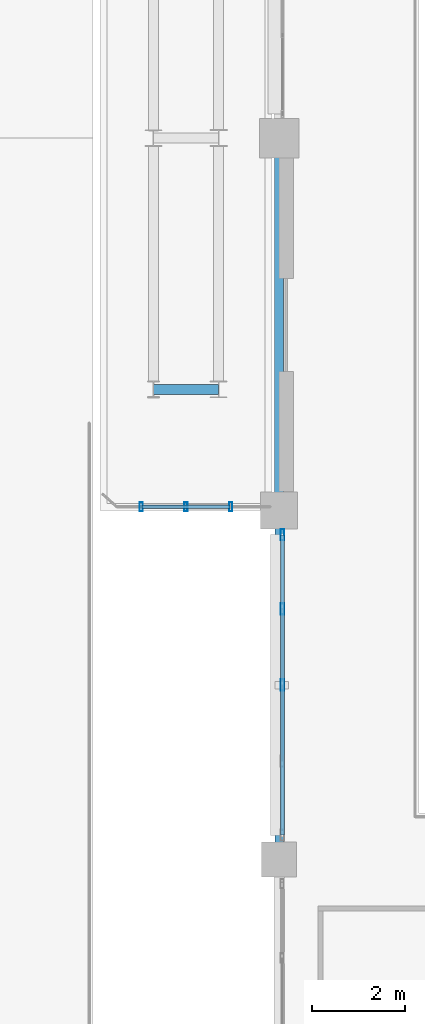
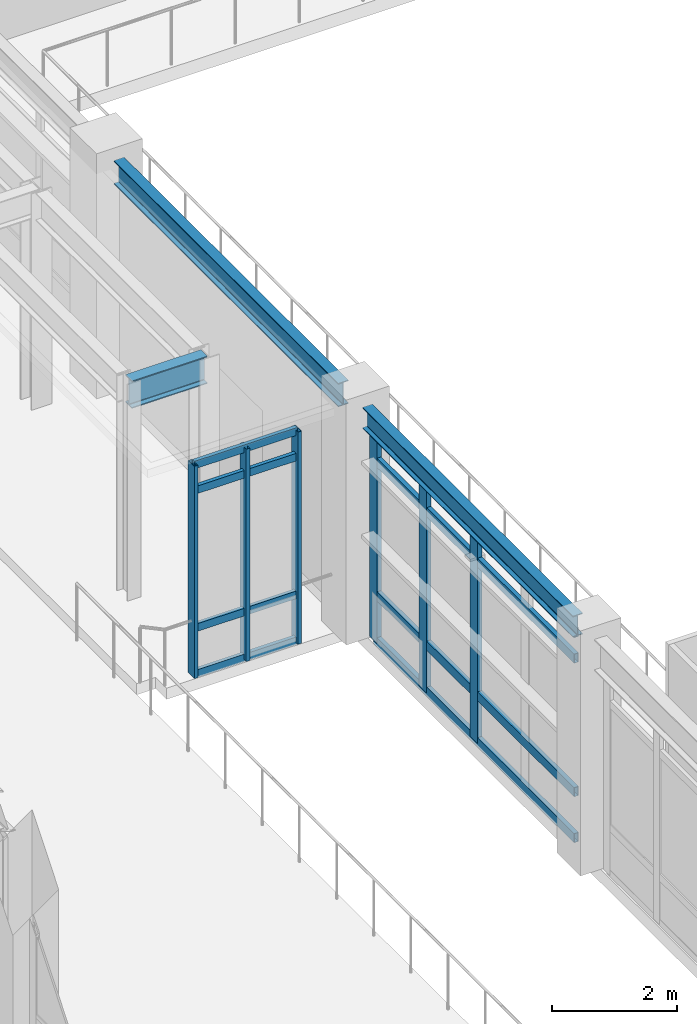
# One storey, part 114 of 200: 14 members, 3 beams, 2 elements without a shape of their own.
"""IFC4 building model written with IfcOpenShell, lengths in metres."""

from ifc_helpers import new_model, si_unit, direction, frame, origin, origin_2d, place, context, subcontext, project, spatial, hollow_rectangle, i_section, extrude, material, material_profile, profile_set, type_object, element, aggregate, save


model = new_model("IFC4")

# Units and contexts
model_context = context("Model", 3, precision=1e-05, world=origin(), true_north=direction((0.0, 1.0)))
body_context = subcontext(model_context, "Body", "Model", "MODEL_VIEW")
ifc_project = project(units=[si_unit("LENGTHUNIT", "METRE"), si_unit("AREAUNIT", "SQUARE_METRE"), si_unit("VOLUMEUNIT", "CUBIC_METRE"), si_unit("PLANEANGLEUNIT", "RADIAN"), si_unit("MASSUNIT", "GRAM", prefix="KILO"), si_unit("THERMODYNAMICTEMPERATUREUNIT", "KELVIN"), si_unit("POWERUNIT", "WATT")], contexts=[model_context])

# Site, building, storey
site_placement = place(None, origin())
site = spatial("IfcSite", under=ifc_project, at=site_placement, CompositionType="ELEMENT")
building_placement = place(site_placement, origin())
building = spatial("IfcBuilding", under=site, at=building_placement, Name="Tepalcoro Natatorium and Aquatics Centre", CompositionType="ELEMENT")
storey_placement = place(building_placement, frame((0.0, 0.0, 5.39990234375)))
storey = spatial("IfcBuildingStorey", under=building, at=storey_placement, Name="L01", CompositionType="ELEMENT", Elevation=5.39990234375)

# Beam
ifc_material_1 = material(Name="Steel ASTM A992 Grade 50 (Fy 345 MPa)", Category="steel")
ifc_material_profile_1 = material_profile(ifc_material_1, i_section(OverallWidth=0.2109375, OverallDepth=0.5380859375, WebThickness=0.011962890625, FlangeThickness=0.01904296875, FilletRadius=0.013916015625, at=origin_2d()), Name="W21X73")
ifc_profile_set_1 = profile_set([ifc_material_profile_1], Name="Steel ASTM A992 Grade 50 (Fy 345 MPa)")
beam_type_1 = type_object("IfcBeamType", Name="BM_LINK_LB1", PredefinedType="BEAM", material=ifc_profile_set_1)
beam_1_placement = place(storey_placement, frame((139.300048828125, 30.60009765625, 3.9560546875), z_axis=(1.0, 0.0, 0.0), x_axis=(0.0, 1.0, 0.0)))
element("IfcBeam", 1, at=beam_1_placement, inside=storey, type_object=beam_type_1, Name="Seismic passage link beam LB1 (V6E L01)", PredefinedType="BEAM", context=body_context, shape_type="SweptSolid", body=[
    extrude(i_section(OverallWidth=0.2109375, OverallDepth=0.5380859375, WebThickness=0.011962890625, FlangeThickness=0.01904296875, FilletRadius=0.013916015625, at=origin_2d()), origin(), (0.0, 0.0, 1.0), 1.39990234375),
])

# Curtain wall, members
ifc_material_2 = material(Name="Bronze-Anodised Extruded Aluminium Alloy EN AW-6063 T6", Category="aluminium")
curtain_wall_type_1 = type_object("IfcCurtainWallType", Name="CW_LINK_150", PredefinedType="USERDEFINED", material=ifc_material_2)
curtain_wall_1_placement = place(storey_placement, origin())
curtain_wall_1 = element("IfcCurtainWall", 2, at=curtain_wall_1_placement, inside=storey, type_object=curtain_wall_type_1, Name="East Diving Seismic Link Glazed Wall S L01", ObjectType="UNITISED STOREFRONT", PredefinedType="USERDEFINED")
ifc_material_profile_2 = material_profile(ifc_material_2, hollow_rectangle(XDim=0.070068359375, YDim=0.199951171875, WallThickness=0.0048828125, at=origin_2d()), Name="AL70X200X5")
ifc_profile_set_2 = profile_set([ifc_material_profile_2], Name="Bronze-Anodised Extruded Aluminium Alloy EN AW-6063 T6")
member_type_1 = type_object("IfcMemberType", Name="CW_MUL_70x200", PredefinedType="MULLION", material=ifc_profile_set_2)
member_1_placement = place(storey_placement, frame((139.0400390625, 28.080078125, 0.02001953125), z_axis=(0.0, 0.0, 1.0), x_axis=(1.0, 0.0, 0.0)))
member_1 = element("IfcMember", 3, at=member_1_placement, type_object=member_type_1, Name="CW_LINK_150 Curtain Wall Mullion", PredefinedType="MULLION", context=body_context, shape_type="SweptSolid", body=[
    extrude(hollow_rectangle(XDim=0.070068359375, YDim=0.199951171875, WallThickness=0.0048828125, at=origin_2d()), origin(), (0.0, 0.0, 1.0), 4.16015625),
])
member_2_placement = place(storey_placement, frame((140.0, 28.080078125, 0.02001953125), z_axis=(0.0, 0.0, 1.0), x_axis=(1.0, 0.0, 0.0)))
member_2 = element("IfcMember", 4, at=member_2_placement, type_object=member_type_1, Name="CW_LINK_150 Curtain Wall Mullion", PredefinedType="MULLION", context=body_context, shape_type="SweptSolid", body=[
    extrude(hollow_rectangle(XDim=0.070068359375, YDim=0.199951171875, WallThickness=0.0048828125, at=origin_2d()), origin(), (0.0, 0.0, 1.0), 4.16015625),
])
member_3_placement = place(storey_placement, frame((140.9599609375, 28.080078125, 0.02001953125), z_axis=(0.0, 0.0, 1.0), x_axis=(1.0, 0.0, 0.0)))
member_3 = element("IfcMember", 5, at=member_3_placement, type_object=member_type_1, Name="CW_LINK_150 Curtain Wall Mullion", PredefinedType="MULLION", context=body_context, shape_type="SweptSolid", body=[
    extrude(hollow_rectangle(XDim=0.070068359375, YDim=0.199951171875, WallThickness=0.0048828125, at=origin_2d()), origin(), (0.0, 0.0, 1.0), 4.16015625),
])

curtain_wall_type_2 = type_object("IfcCurtainWallType", Name="CW_LEAN_T1_EW", PredefinedType="USERDEFINED", material=ifc_material_2)
curtain_wall_2_placement = place(storey_placement, origin())
curtain_wall_2 = element("IfcCurtainWall", 6, at=curtain_wall_2_placement, inside=storey, type_object=curtain_wall_type_2, Name="V2 L01 W Unitised Curtain Wall Bay 3", ObjectType="FACETED SOLAR GLAZING", PredefinedType="USERDEFINED")
ifc_material_profile_3 = material_profile(ifc_material_2, hollow_rectangle(XDim=0.080078125, YDim=0.239990234375, WallThickness=0.0048828125, at=origin_2d()), Name="AL80X240X5")
ifc_profile_set_3 = profile_set([ifc_material_profile_3], Name="Bronze-Anodised Extruded Aluminium Alloy EN AW-6063 T6")
member_type_2 = type_object("IfcMemberType", Name="CW_MUL_80x240", PredefinedType="MULLION", material=ifc_profile_set_3)
member_4_placement = place(storey_placement, frame((142.0712890625, 24.25, 0.02001953125), z_axis=(0.0, 0.0, 1.0), x_axis=(1.0, 0.0, 0.0)))
member_4 = element("IfcMember", 7, at=member_4_placement, type_object=member_type_2, Name="CW_LEAN_T1_EW Curtain Wall Mullion", PredefinedType="MULLION", context=body_context, shape_type="SweptSolid", body=[
    extrude(hollow_rectangle(XDim=0.080078125, YDim=0.239990234375, WallThickness=0.0048828125, at=origin_2d()), origin(), (0.0, 0.0, 1.0), 4.0771484375),
])
member_5_placement = place(storey_placement, frame((142.0712890625, 25.885009765625, 0.02001953125), z_axis=(0.0, 0.0, 1.0), x_axis=(1.0, 0.0, 0.0)))
member_5 = element("IfcMember", 8, at=member_5_placement, type_object=member_type_2, Name="CW_LEAN_T1_EW Curtain Wall Mullion", PredefinedType="MULLION", context=body_context, shape_type="SweptSolid", body=[
    extrude(hollow_rectangle(XDim=0.080078125, YDim=0.239990234375, WallThickness=0.0048828125, at=origin_2d()), origin(), (0.0, 0.0, 1.0), 4.0771484375),
])
member_6_placement = place(storey_placement, frame((142.0712890625, 27.47998046875, 0.02001953125), z_axis=(0.0, 0.0, 1.0), x_axis=(1.0, 0.0, 0.0)))
member_6 = element("IfcMember", 9, at=member_6_placement, type_object=member_type_2, Name="CW_LEAN_T1_EW Curtain Wall Mullion", PredefinedType="MULLION", context=body_context, shape_type="SweptSolid", body=[
    extrude(hollow_rectangle(XDim=0.080078125, YDim=0.239990234375, WallThickness=0.0048828125, at=origin_2d()), origin(), (0.0, 0.0, 1.0), 4.0771484375),
])

# Member
ifc_material_profile_4 = material_profile(ifc_material_2, hollow_rectangle(XDim=0.070068359375, YDim=0.14990234375, WallThickness=0.00390625, at=origin_2d()), Name="AL70X150X4")
ifc_profile_set_4 = profile_set([ifc_material_profile_4], Name="Bronze-Anodised Extruded Aluminium Alloy EN AW-6063 T6")
member_type_3 = type_object("IfcMemberType", Name="CW_TRN_70x150", PredefinedType="USERDEFINED", material=ifc_profile_set_4)
member_7_placement = place(storey_placement, frame((139.050048828125, 28.080078125, 0.050048828125), z_axis=(1.0, 0.0, 0.0), x_axis=(0.0, 1.0, 0.0)))
member_7 = element("IfcMember", 10, at=member_7_placement, type_object=member_type_3, Name="CW_LINK_150 Curtain Wall Transom", ObjectType="TRANSOM", PredefinedType="USERDEFINED", context=body_context, shape_type="SweptSolid", body=[
    extrude(hollow_rectangle(XDim=0.070068359375, YDim=0.14990234375, WallThickness=0.00390625, at=origin_2d()), origin(), (0.0, 0.0, 1.0), 1.89990234375),
])

member_8_placement = place(storey_placement, frame((139.050048828125, 28.080078125, 0.9501953125), z_axis=(1.0, 0.0, 0.0), x_axis=(0.0, 1.0, 0.0)))
member_8 = element("IfcMember", 11, at=member_8_placement, type_object=member_type_3, Name="CW_LINK_150 Curtain Wall Transom", ObjectType="TRANSOM", PredefinedType="USERDEFINED", context=body_context, shape_type="SweptSolid", body=[
    extrude(hollow_rectangle(XDim=0.070068359375, YDim=0.14990234375, WallThickness=0.00390625, at=origin_2d()), origin(), (0.0, 0.0, 1.0), 1.89990234375),
])

member_9_placement = place(storey_placement, frame((139.050048828125, 28.080078125, 3.650146484375), z_axis=(1.0, 0.0, 0.0), x_axis=(0.0, 1.0, 0.0)))
member_9 = element("IfcMember", 12, at=member_9_placement, type_object=member_type_3, Name="CW_LINK_150 Curtain Wall Transom", ObjectType="TRANSOM", PredefinedType="USERDEFINED", context=body_context, shape_type="SweptSolid", body=[
    extrude(hollow_rectangle(XDim=0.070068359375, YDim=0.14990234375, WallThickness=0.00390625, at=origin_2d()), origin(), (0.0, 0.0, 1.0), 1.89990234375),
])

member_10_placement = place(storey_placement, frame((139.050048828125, 28.080078125, 4.150146484375), z_axis=(1.0, 0.0, 0.0), x_axis=(0.0, 1.0, 0.0)))
member_10 = element("IfcMember", 13, at=member_10_placement, type_object=member_type_3, Name="CW_LINK_150 Curtain Wall Transom", ObjectType="TRANSOM", PredefinedType="USERDEFINED", context=body_context, shape_type="SweptSolid", body=[
    extrude(hollow_rectangle(XDim=0.070068359375, YDim=0.14990234375, WallThickness=0.00390625, at=origin_2d()), origin(), (0.0, 0.0, 1.0), 1.89990234375),
])

aggregate(curtain_wall_1, [member_1, member_2, member_3, member_7, member_8, member_9, member_10])

ifc_material_profile_5 = material_profile(ifc_material_2, hollow_rectangle(XDim=0.080078125, YDim=0.179931640625, WallThickness=0.0048828125, at=origin_2d()), Name="AL80X180X5")
ifc_profile_set_5 = profile_set([ifc_material_profile_5], Name="Bronze-Anodised Extruded Aluminium Alloy EN AW-6063 T6")
member_type_4 = type_object("IfcMemberType", Name="CW_TRN_80x180", PredefinedType="USERDEFINED", material=ifc_profile_set_5)
member_11_placement = place(storey_placement, frame((142.0712890625, 21.030029296875, 0.050048828125), z_axis=(0.0, 1.0, 0.0), x_axis=(-1.0, 0.0, 0.0)))
member_11 = element("IfcMember", 14, at=member_11_placement, type_object=member_type_4, Name="CW_LEAN_T1_EW Curtain Wall Transom", ObjectType="TRANSOM", PredefinedType="USERDEFINED", context=body_context, shape_type="SweptSolid", body=[
    extrude(hollow_rectangle(XDim=0.080078125, YDim=0.179931640625, WallThickness=0.0048828125, at=origin_2d()), origin(), (0.0, 0.0, 1.0), 6.43994140625),
])

member_12_placement = place(storey_placement, frame((142.0712890625, 21.030029296875, 0.9501953125), z_axis=(0.0, 1.0, 0.0), x_axis=(-1.0, 0.0, 0.0)))
member_12 = element("IfcMember", 15, at=member_12_placement, type_object=member_type_4, Name="CW_LEAN_T1_EW Curtain Wall Transom", ObjectType="TRANSOM", PredefinedType="USERDEFINED", context=body_context, shape_type="SweptSolid", body=[
    extrude(hollow_rectangle(XDim=0.080078125, YDim=0.179931640625, WallThickness=0.0048828125, at=origin_2d()), origin(), (0.0, 0.0, 1.0), 6.43994140625),
])

member_13_placement = place(storey_placement, frame((142.0712890625, 21.030029296875, 3.567138671875), z_axis=(0.0, 1.0, 0.0), x_axis=(-1.0, 0.0, 0.0)))
member_13 = element("IfcMember", 16, at=member_13_placement, type_object=member_type_4, Name="CW_LEAN_T1_EW Curtain Wall Transom", ObjectType="TRANSOM", PredefinedType="USERDEFINED", context=body_context, shape_type="SweptSolid", body=[
    extrude(hollow_rectangle(XDim=0.080078125, YDim=0.179931640625, WallThickness=0.0048828125, at=origin_2d()), origin(), (0.0, 0.0, 1.0), 6.43994140625),
])

member_14_placement = place(storey_placement, frame((142.0712890625, 21.030029296875, 4.067138671875), z_axis=(0.0, 1.0, 0.0), x_axis=(-1.0, 0.0, 0.0)))
member_14 = element("IfcMember", 17, at=member_14_placement, type_object=member_type_4, Name="CW_LEAN_T1_EW Curtain Wall Transom", ObjectType="TRANSOM", PredefinedType="USERDEFINED", context=body_context, shape_type="SweptSolid", body=[
    extrude(hollow_rectangle(XDim=0.080078125, YDim=0.179931640625, WallThickness=0.0048828125, at=origin_2d()), origin(), (0.0, 0.0, 1.0), 6.43994140625),
])

aggregate(curtain_wall_2, [member_4, member_5, member_6, member_11, member_12, member_13, member_14])

# Beams
ifc_material_profile_6 = material_profile(ifc_material_1, i_section(OverallWidth=0.179931640625, OverallDepth=0.4130859375, WebThickness=0.010009765625, FlangeThickness=0.01611328125, FilletRadius=0.013916015625, at=origin_2d()), Name="W16X50")
ifc_profile_set_6 = profile_set([ifc_material_profile_6], Name="Steel ASTM A992 Grade 50 (Fy 345 MPa)")
beam_type_2 = type_object("IfcBeamType", Name="SP_HSS300x200x12", PredefinedType="SPANDREL", material=ifc_profile_set_6)
beam_2_placement = place(storey_placement, frame((142.0, 20.860107421875, 4.338623046875), z_axis=(0.0, 1.0, 0.0), x_axis=(-1.0, 0.0, 0.0)))
element("IfcBeam", 18, at=beam_2_placement, inside=storey, type_object=beam_type_2, Name="V2 L01 Grid Girder Y", PredefinedType="SPANDREL", context=body_context, shape_type="SweptSolid", body=[
    extrude(i_section(OverallWidth=0.179931640625, OverallDepth=0.4130859375, WebThickness=0.010009765625, FlangeThickness=0.01611328125, FilletRadius=0.013916015625, at=origin_2d()), origin(), (0.0, 0.0, 1.0), 6.7548828125),
])
ifc_material_profile_7 = material_profile(ifc_material_1, i_section(OverallWidth=0.19091796875, OverallDepth=0.4599609375, WebThickness=0.010009765625, FlangeThickness=0.01611328125, FilletRadius=0.013916015625, at=origin_2d()), Name="W18X55")
ifc_profile_set_7 = profile_set([ifc_material_profile_7], Name="Steel ASTM A992 Grade 50 (Fy 345 MPa)")
beam_type_3 = type_object("IfcBeamType", Name="SP_W18x55", PredefinedType="SPANDREL", material=ifc_profile_set_7)
beam_3_placement = place(storey_placement, frame((142.0, 28.385009765625, 4.315185546875), z_axis=(0.0, 1.0, 0.0), x_axis=(-1.0, 0.0, 0.0)))
element("IfcBeam", 19, at=beam_3_placement, inside=storey, type_object=beam_type_3, Name="V2 L01 Grid Girder Y", PredefinedType="SPANDREL", context=body_context, shape_type="SweptSolid", body=[
    extrude(i_section(OverallWidth=0.19091796875, OverallDepth=0.4599609375, WebThickness=0.010009765625, FlangeThickness=0.01611328125, FilletRadius=0.013916015625, at=origin_2d()), origin(), (0.0, 0.0, 1.0), 7.205078125),
])

save(model, "model.ifc")
